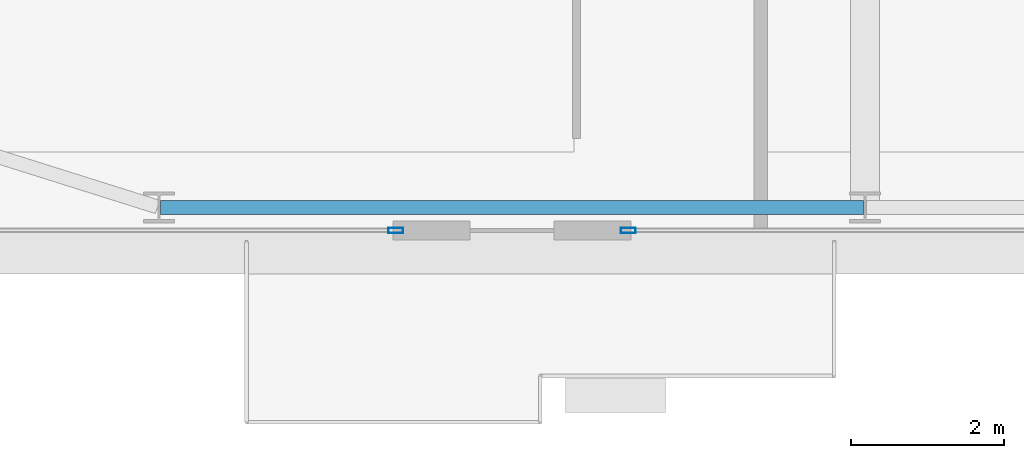
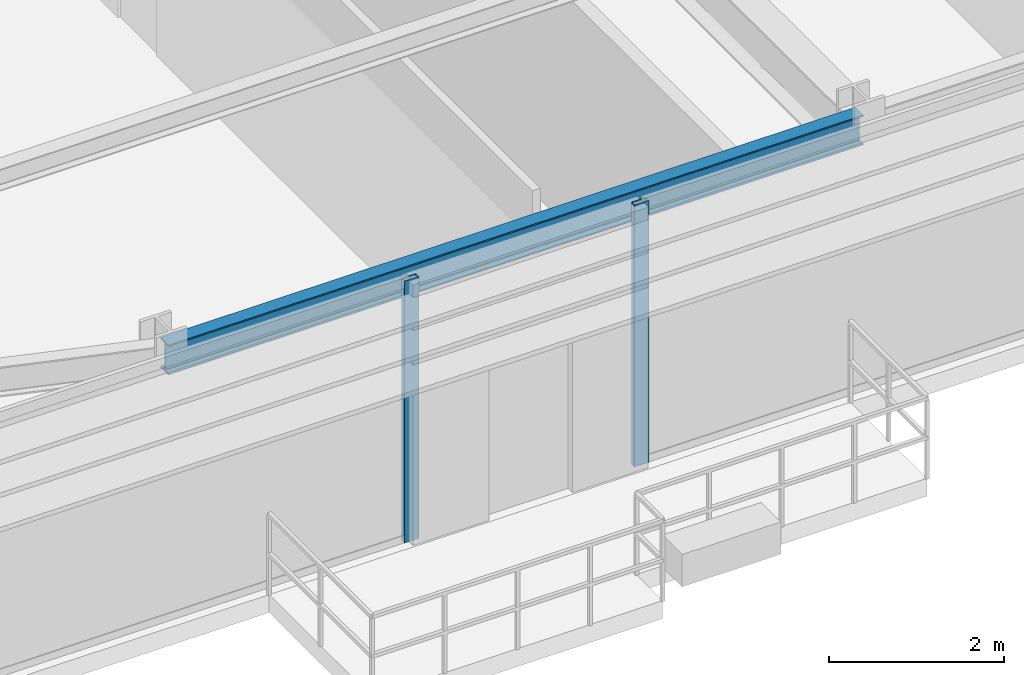
# One storey, part 5 of 31: 2 members, 1 beam, 2 elements without a shape of their own.
"""IFC4 building model written with IfcOpenShell, lengths in metres."""

import ifcopenshell
import ifcopenshell.guid

model = None  # the IFC model being written
_history = None  # IfcOwnerHistory: only IFC2X3 demands one
_inside = {}  # id of a spatial element -> (the spatial element, [elements in it])
_under = {}  # id of a project, library or spatial element -> (it, [spatial elements below it])
_declared = {}  # id of a project -> (the project, [libraries it declares])
_typed = {}  # id of a type object -> (the type object, [elements of that type])
_made_of = {}  # id of a material, layer set ... -> (it, [elements and type objects made of it])


def new_model(schema):
    """Start an empty IFC model of exactly this schema.

    Asked for "IFC4X3", IfcOpenShell would pick the latest addendum, in which some entities
    have other attributes; the version numbers below select the first issue.
    IFC2X3 requires an IfcOwnerHistory on every rooted entity: one is made here for all.
    """
    global model, _history
    if schema == "IFC4X3":
        model = ifcopenshell.file(schema_version=(4, 3, 0, 0))
    else:
        model = ifcopenshell.file(schema=schema)
    _inside.clear()
    _under.clear()
    _declared.clear()
    _typed.clear()
    _made_of.clear()
    _history = None
    if model.schema == "IFC2X3":
        org = make("IfcOrganization", Name="unknown")
        user = make(
            "IfcPersonAndOrganization",
            ThePerson=make("IfcPerson", FamilyName="unknown"),
            TheOrganization=org,
        )
        app = make(
            "IfcApplication",
            ApplicationDeveloper=org,
            Version="unknown",
            ApplicationFullName="unknown",
            ApplicationIdentifier="unknown",
        )
        _history = make(
            "IfcOwnerHistory",
            OwningUser=user,
            OwningApplication=app,
            ChangeAction="ADDED",
            CreationDate=0,
        )
    return model


def make(cls, **values):
    """One entity of the class cls with the attributes given. An attribute that is None is left unset."""
    return model.create_entity(
        cls, **{name: value for name, value in values.items() if value is not None}
    )


def rooted(cls, **values):
    """An entity with a GlobalId (a new one), such as an element, a storey or a relation."""
    return make(cls, GlobalId=ifcopenshell.guid.new(), OwnerHistory=_history, **values)


def si_unit(unit_type, name, prefix=None):
    """IfcSIUnit, for example si_unit("LENGTHUNIT", "METRE", prefix="MILLI")."""
    return make("IfcSIUnit", UnitType=unit_type, Prefix=prefix, Name=name)


def assignment(units):
    """IfcUnitAssignment: the units of a project."""
    return None if units is None else make("IfcUnitAssignment", Units=units)


def point(xyz):
    """IfcCartesianPoint."""
    return None if xyz is None else make("IfcCartesianPoint", Coordinates=xyz)


def direction(xyz):
    """IfcDirection."""
    return None if xyz is None else make("IfcDirection", DirectionRatios=xyz)


def frame(location, z_axis=None, x_axis=None):
    """IfcAxis2Placement3D, a coordinate frame: its origin and axes. An axis left out is left unset."""
    return make(
        "IfcAxis2Placement3D",
        Location=point(location),
        Axis=direction(z_axis),
        RefDirection=direction(x_axis),
    )


def frame_2d(location, x_axis=None):
    """IfcAxis2Placement2D, a coordinate frame in the plane: its origin and x axis."""
    return make(
        "IfcAxis2Placement2D", Location=point(location), RefDirection=direction(x_axis)
    )


def origin():
    """The frame at (0, 0, 0) with its axes left unset."""
    return frame((0.0, 0.0, 0.0))


def origin_2d():
    """The frame at (0, 0) in the plane with its x axis left unset."""
    return frame_2d((0.0, 0.0))


def place(relative_to, where):
    """IfcLocalPlacement: puts the frame where relative to a parent placement (None: the world)."""
    return make(
        "IfcLocalPlacement", PlacementRelTo=relative_to, RelativePlacement=where
    )


def context(
    kind, dimensions, precision=None, world=None, true_north=None, identifier=None
):
    """IfcGeometricRepresentationContext, for example the 3D "Model" context."""
    return make(
        "IfcGeometricRepresentationContext",
        ContextIdentifier=identifier,
        ContextType=kind,
        CoordinateSpaceDimension=dimensions,
        Precision=precision,
        WorldCoordinateSystem=world,
        TrueNorth=true_north,
    )


def subcontext(parent, identifier, kind, view, scale=None):
    """IfcGeometricRepresentationSubContext, for example "Body" below "Model"."""
    return make(
        "IfcGeometricRepresentationSubContext",
        ContextIdentifier=identifier,
        ContextType=kind,
        ParentContext=parent,
        TargetScale=scale,
        TargetView=view,
    )


def project(units=None, contexts=None):
    """IfcProject with its units and contexts."""
    return rooted(
        "IfcProject",
        Name="project",
        RepresentationContexts=contexts,
        UnitsInContext=assignment(units),
    )


def spatial(cls, under=None, at=None, **own):
    """A site, building, storey or space (cls), placed at a placement, below another one or the project."""
    s = rooted(cls, ObjectPlacement=at, **own)
    if under is not None:
        _under.setdefault(under.id(), (under, []))[1].append(s)
    return s


def profile(cls, at=None, kind="AREA", **sizes):
    """A parametric profile (cls). Its sizes go by their IFC names, for example OverallWidth=200.0."""
    return make(cls, ProfileType=kind, Position=at, **sizes)


def hollow_rectangle(**sizes):
    """IfcRectangleHollowProfileDef."""
    return profile("IfcRectangleHollowProfileDef", **sizes)


def i_section(**sizes):
    """IfcIShapeProfileDef."""
    return profile("IfcIShapeProfileDef", **sizes)


def extrude(swept, where, along, depth):
    """IfcExtrudedAreaSolid: the profile swept, set in the frame where, extruded along a direction by depth."""
    return make(
        "IfcExtrudedAreaSolid",
        SweptArea=swept,
        Position=where,
        ExtrudedDirection=direction(along),
        Depth=depth,
    )


def shape(context_of_items, identifier, shape_type, items):
    """IfcShapeRepresentation: the items that make up one representation, for example the "Body"."""
    return make(
        "IfcShapeRepresentation",
        ContextOfItems=context_of_items,
        RepresentationIdentifier=identifier,
        RepresentationType=shape_type,
        Items=items,
    )


def source(mapping_origin, context_of_items, identifier, shape_type, items):
    """IfcRepresentationMap: a shape defined once, which mapped items show again and again."""
    return make(
        "IfcRepresentationMap",
        MappingOrigin=mapping_origin,
        MappedRepresentation=shape(context_of_items, identifier, shape_type, items),
    )


def transform(
    local_origin,
    x_axis=None,
    y_axis=None,
    z_axis=None,
    scale=None,
    scale2=None,
    scale3=None,
    uniform=True,
):
    """IfcCartesianTransformationOperator3D, or its non-uniform kind. x_axis, y_axis, z_axis: its Axis1, 2, 3."""
    if uniform:
        return make(
            "IfcCartesianTransformationOperator3D",
            Axis1=direction(x_axis),
            Axis2=direction(y_axis),
            LocalOrigin=point(local_origin),
            Scale=scale,
            Axis3=direction(z_axis),
        )
    return make(
        "IfcCartesianTransformationOperator3DnonUniform",
        Axis1=direction(x_axis),
        Axis2=direction(y_axis),
        LocalOrigin=point(local_origin),
        Scale=scale,
        Axis3=direction(z_axis),
        Scale2=scale2,
        Scale3=scale3,
    )


def mapped(mapping_source, mapping_target):
    """IfcMappedItem: shows the shape of a source again, moved by a transform."""
    return make(
        "IfcMappedItem", MappingSource=mapping_source, MappingTarget=mapping_target
    )


def material(Name=None, Category=None):
    """IfcMaterial."""
    return make("IfcMaterial", Name=Name, Category=Category)


def layer(
    of_material, thickness, ventilated=None, Name=None, Category=None, Priority=None
):
    """IfcMaterialLayer: one layer of a wall or slab, of a material (None: an air gap)."""
    return make(
        "IfcMaterialLayer",
        Material=of_material,
        LayerThickness=thickness,
        IsVentilated=ventilated,
        Name=Name,
        Category=Category,
        Priority=Priority,
    )


def layer_set(layers, Name=None):
    """IfcMaterialLayerSet."""
    return make("IfcMaterialLayerSet", MaterialLayers=layers, LayerSetName=Name)


def material_profile(
    of_material, cross_section, Name=None, Category=None, Priority=None
):
    """IfcMaterialProfile: a cross section and its material."""
    return make(
        "IfcMaterialProfile",
        Name=Name,
        Material=of_material,
        Profile=cross_section,
        Priority=Priority,
        Category=Category,
    )


def profile_set(profiles, Name=None, composite=None):
    """IfcMaterialProfileSet."""
    return make(
        "IfcMaterialProfileSet",
        Name=Name,
        MaterialProfiles=profiles,
        CompositeProfile=composite,
    )


def made_of(thing, what):
    """Note that an element or type object is made of a material, layer set ...; save() writes the relation."""
    if what is not None:
        _made_of.setdefault(what.id(), (what, []))[1].append(thing)
    return thing


def type_object(cls, material=None, **own):
    """A type object (cls), such as IfcWallType, which elements share."""
    return made_of(rooted(cls, **own), material)


def type_shapes(of_type, sources):
    """Give a type object the sources (RepresentationMaps) that its elements show as mapped items."""
    of_type.RepresentationMaps = sources


def element(
    cls,
    number,
    at=None,
    inside=None,
    cuts=None,
    type_object=None,
    material=None,
    context=None,
    identifier="Body",
    shape_type=None,
    held_by="IfcProductDefinitionShape",
    body=None,
    shapes=None,
    **own,
):
    """One element of the class cls, such as IfcWall. Its Tag is "e" and its number.

    at: its placement. inside: the storey or other place that contains it. cuts: it is an
    opening in that element (IfcRelVoidsElement). A single representation is given by context,
    identifier, shape_type and body (its items); several are given by shapes. held_by: the class
    of the entity that holds the representations. save() writes the other relations.
    """
    e = rooted(cls, Tag="e%d" % number, ObjectPlacement=at, **own)
    if body is not None:
        shapes = [shape(context, identifier, shape_type, body)]
    if shapes is not None:
        e.Representation = make(held_by, Representations=shapes)
    if inside is not None:
        _inside.setdefault(inside.id(), (inside, []))[1].append(e)
    if cuts is not None:
        rooted(
            "IfcRelVoidsElement", RelatingBuildingElement=cuts, RelatedOpeningElement=e
        )
    if type_object is not None:
        _typed.setdefault(type_object.id(), (type_object, []))[1].append(e)
    return made_of(e, material)


def aggregate(whole, parts):
    """IfcRelAggregates: a whole, such as a stair, and the parts it consists of."""
    return rooted("IfcRelAggregates", RelatingObject=whole, RelatedObjects=parts)


def save(model, path):
    """Write the relations noted so far, then the file.

    IfcRelAggregates (storeys below a building ...), IfcRelContainedInSpatialStructure (elements
    in a storey), IfcRelDefinesByType, IfcRelAssociatesMaterial and IfcRelDeclares: one each for
    every whole, place, type object, material and project.
    """
    for whole, parts in _under.values():
        aggregate(whole, parts)
    for where, things in _inside.values():
        rooted(
            "IfcRelContainedInSpatialStructure",
            RelatedElements=things,
            RelatingStructure=where,
        )
    for kind, things in _typed.values():
        rooted("IfcRelDefinesByType", RelatedObjects=things, RelatingType=kind)
    for what, things in _made_of.values():
        rooted("IfcRelAssociatesMaterial", RelatedObjects=things, RelatingMaterial=what)
    for by, libraries in _declared.values():
        rooted("IfcRelDeclares", RelatingContext=by, RelatedDefinitions=libraries)
    model.write(path)


model = new_model("IFC4")

# Units and contexts
model_context = context("Model", 3, precision=1e-05, world=origin(), true_north=direction((0.0, 1.0)))
body_context = subcontext(model_context, "Body", "Model", "MODEL_VIEW")
ifc_project = project(units=[si_unit("LENGTHUNIT", "METRE"), si_unit("AREAUNIT", "SQUARE_METRE"), si_unit("VOLUMEUNIT", "CUBIC_METRE"), si_unit("PLANEANGLEUNIT", "RADIAN"), si_unit("MASSUNIT", "GRAM", prefix="KILO")], contexts=[model_context])

# Site, building, storey
site_placement = place(None, origin())
site = spatial("IfcSite", under=ifc_project, at=site_placement, CompositionType="ELEMENT")
building_placement = place(site_placement, origin())
building = spatial("IfcBuilding", under=site, at=building_placement, Name="Varnel Quay Broadcast Tower", CompositionType="ELEMENT")
storey_placement = place(building_placement, frame((0.0, 0.0, 35.39990234375)))
storey = spatial("IfcBuildingStorey", under=building, at=storey_placement, Name="L07", CompositionType="ELEMENT", Elevation=35.39990234375)

# Beam
ifc_material_1 = material(Name="Structural Steel CSA G40.21 350W", Category="steel")
ifc_material_profile_1 = material_profile(ifc_material_1, i_section(OverallWidth=0.180908203125, OverallDepth=0.4169921875, WebThickness=0.010986328125, FlangeThickness=0.018310546875, FilletRadius=0.011962890625, at=origin_2d()), Name="W410X85")
ifc_profile_set_1 = profile_set([ifc_material_profile_1], Name="Structural Steel CSA G40.21 350W")
beam_type = type_object("IfcBeamType", Name="Beam_W410X85", PredefinedType="SPANDREL", material=ifc_profile_set_1)
shared_shape_1 = source(origin(), body_context, "Body", "SweptSolid", [
    extrude(i_section(OverallWidth=0.180908203125, OverallDepth=0.4169921875, WebThickness=0.010986328125, FlangeThickness=0.018310546875, FilletRadius=0.011962890625, at=origin_2d()), origin(), (0.0, 0.0, 1.0), 9.159912109375),
])
type_shapes(beam_type, [shared_shape_1])
beam_placement = place(storey_placement, frame((15.6201171875, 1.64990234375, 3.441650390625), z_axis=(1.0, 0.0, 0.0), x_axis=(0.0, 1.0, 0.0)))
element("IfcBeam", 1, at=beam_placement, inside=storey, type_object=beam_type, Name="L07 South Spandrel TC-S1-TC-S2", PredefinedType="SPANDREL", context=body_context, shape_type="MappedRepresentation", body=[
    mapped(shared_shape_1, transform((0.0, 0.0, 0.0), x_axis=(1.0, 0.0, 0.0), y_axis=(0.0, 1.0, 0.0), z_axis=(0.0, 0.0, 1.0), scale=1.0)),
])

# Curtain wall, member
ifc_material_2 = material(Name="Anodised Bronze Aluminium 6063-T6", Category="aluminium")
ifc_layer = layer(ifc_material_2, 0.18994140625, Name="Anodised Bronze Aluminium 6063-T6")
ifc_layer_set = layer_set([ifc_layer], Name="Anodised Bronze Aluminium 6063-T6")
curtain_wall_type = type_object("IfcCurtainWallType", Name="CW_LowerTower", PredefinedType="NOTDEFINED", material=ifc_layer_set)
curtain_wall_1_placement = place(storey_placement, origin())
curtain_wall_1 = element("IfcCurtainWall", 2, at=curtain_wall_1_placement, inside=storey, type_object=curtain_wall_type, Name="L07 South Unitised Curtain Wall 1", PredefinedType="NOTDEFINED")
ifc_material_profile_2 = material_profile(ifc_material_2, hollow_rectangle(XDim=0.070068359375, YDim=0.18994140625, WallThickness=0.00390625, at=origin_2d()), Name="ALU70X190X4")
ifc_profile_set_2 = profile_set([ifc_material_profile_2], Name="Anodised Bronze Aluminium 6063-T6")
member_type = type_object("IfcMemberType", Name="Mull_CWS-02", PredefinedType="MULLION", material=ifc_profile_set_2)
shared_shape_2 = source(origin(), body_context, "Body", "SweptSolid", [
    extrude(hollow_rectangle(XDim=0.070068359375, YDim=0.18994140625, WallThickness=0.00390625, at=origin_2d()), origin(), (0.0, 0.0, 1.0), 3.650146484375),
])
type_shapes(member_type, [shared_shape_2])
member_1_placement = place(storey_placement, frame((18.68505859375, 1.35009765625, 0.0), z_axis=(0.0, 0.0, 1.0), x_axis=(0.0, 1.0, 0.0)))
member_1 = element("IfcMember", 3, at=member_1_placement, type_object=member_type, Name="CWS-02 mullion 2", PredefinedType="MULLION", context=body_context, shape_type="MappedRepresentation", body=[
    mapped(shared_shape_2, transform((0.0, 0.0, 0.0), x_axis=(1.0, 0.0, 0.0), y_axis=(0.0, 1.0, 0.0), z_axis=(0.0, 0.0, 1.0), scale=1.0)),
])
aggregate(curtain_wall_1, [member_1])

curtain_wall_2_placement = place(storey_placement, origin())
curtain_wall_2 = element("IfcCurtainWall", 4, at=curtain_wall_2_placement, inside=storey, type_object=curtain_wall_type, Name="L07 South Unitised Curtain Wall 2", PredefinedType="NOTDEFINED")
member_2_placement = place(storey_placement, frame((21.715087890625, 1.35009765625, 0.0), z_axis=(0.0, 0.0, 1.0), x_axis=(0.0, 1.0, 0.0)))
member_2 = element("IfcMember", 5, at=member_2_placement, type_object=member_type, Name="CWS-02 mullion 1", PredefinedType="MULLION", context=body_context, shape_type="MappedRepresentation", body=[
    mapped(shared_shape_2, transform((0.0, 0.0, 0.0), x_axis=(1.0, 0.0, 0.0), y_axis=(0.0, 1.0, 0.0), z_axis=(0.0, 0.0, 1.0), scale=1.0)),
])
aggregate(curtain_wall_2, [member_2])

save(model, "model.ifc")
